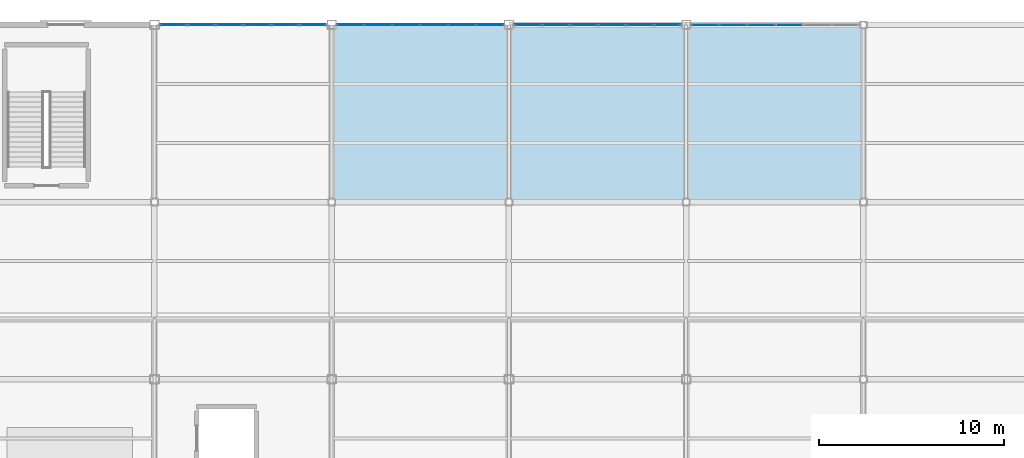
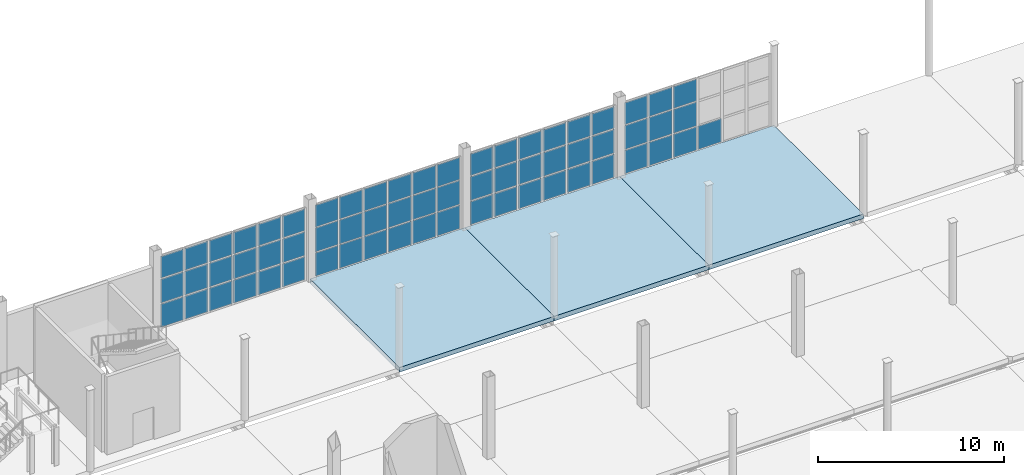
# One storey, part 55 of 85: 64 plates, 3 slabs, 4 elements without a shape of their own.
"""IFC4 building model written with IfcOpenShell, lengths in metres."""

from ifc_helpers import new_model, si_unit, direction, frame, origin, origin_2d, place, context, subcontext, project, spatial, polyline, rectangle, outline, extrude, material, layer, layer_set, type_object, element, aggregate, save


model = new_model("IFC4")

# Units and contexts
model_context = context("Model", 3, precision=1e-05, world=origin(), true_north=direction((0.0, 1.0)))
body_context = subcontext(model_context, "Body", "Model", "MODEL_VIEW")
ifc_project = project(units=[si_unit("LENGTHUNIT", "METRE"), si_unit("AREAUNIT", "SQUARE_METRE"), si_unit("VOLUMEUNIT", "CUBIC_METRE"), si_unit("PLANEANGLEUNIT", "RADIAN"), si_unit("MASSUNIT", "GRAM", prefix="KILO")], contexts=[model_context])

# Site, building, storey
site_placement = place(None, origin())
site = spatial("IfcSite", under=ifc_project, at=site_placement, CompositionType="ELEMENT")
building_placement = place(site_placement, origin())
building = spatial("IfcBuilding", under=site, at=building_placement, Name="Zarnetskaya Central Station", CompositionType="ELEMENT")
storey_placement = place(building_placement, origin())
storey = spatial("IfcBuildingStorey", under=building, at=storey_placement, Name="L00", CompositionType="ELEMENT", Elevation=0.0)

# Curtain wall, plates
ifc_material_1 = material(Name="Low-E insulated glass", Category="glass")
ifc_layer_1 = layer(ifc_material_1, 0.16796875, Name="Low-E insulated glass", Category="glass")
ifc_layer_set_1 = layer_set([ifc_layer_1], Name="Low-E insulated glass")
curtain_wall_type = type_object("IfcCurtainWallType", Name="CW-SYS-13", PredefinedType="USERDEFINED", material=ifc_layer_set_1)
curtain_wall_1_placement = place(storey_placement, origin())
curtain_wall_1 = element("IfcCurtainWall", 1, at=curtain_wall_1_placement, inside=storey, type_object=curtain_wall_type, Name="Curtain wall CW-L00-185", ObjectType="CURTAIN WALL", PredefinedType="USERDEFINED")
ifc_layer_2 = layer(ifc_material_1, 0.028076171875, Name="Low-E insulated glass", Category="glass")
ifc_layer_set_2 = layer_set([ifc_layer_2], Name="Low-E insulated glass")
plate_type_1 = type_object("IfcPlateType", Name="CW-PAN-28", PredefinedType="CURTAIN_PANEL", material=ifc_layer_set_2)
plate_1_placement = place(storey_placement, frame((125.829833984375, 124.800048828125, 0.06982421875), z_axis=(0.0, 0.0, 1.0), x_axis=(1.0, 0.0, 0.0)))
plate_1 = element("IfcPlate", 2, at=plate_1_placement, type_object=plate_type_1, Name="CW-04 panel 1.1", PredefinedType="CURTAIN_PANEL", context=body_context, shape_type="SweptSolid", body=[
    extrude(rectangle(XDim=1.41943359375, YDim=0.028076171875, at=origin_2d()), origin(), (0.0, 0.0, 1.0), 1.527099609375),
])
plate_2_placement = place(storey_placement, frame((125.829833984375, 124.800048828125, 1.6669921875), z_axis=(0.0, 0.0, 1.0), x_axis=(1.0, 0.0, 0.0)))
plate_2 = element("IfcPlate", 3, at=plate_2_placement, type_object=plate_type_1, Name="CW-04 panel 1.2", PredefinedType="CURTAIN_PANEL", context=body_context, shape_type="SweptSolid", body=[
    extrude(rectangle(XDim=1.41943359375, YDim=0.028076171875, at=origin_2d()), origin(), (0.0, 0.0, 1.0), 1.56201171875),
])
plate_3_placement = place(storey_placement, frame((125.829833984375, 124.800048828125, 3.298828125), z_axis=(0.0, 0.0, 1.0), x_axis=(1.0, 0.0, 0.0)))
plate_3 = element("IfcPlate", 4, at=plate_3_placement, type_object=plate_type_1, Name="CW-04 panel 1.3", PredefinedType="CURTAIN_PANEL", context=body_context, shape_type="SweptSolid", body=[
    extrude(rectangle(XDim=1.41943359375, YDim=0.028076171875, at=origin_2d()), origin(), (0.0, 0.0, 1.0), 1.430908203125),
])
plate_4_placement = place(storey_placement, frame((127.336669921875, 124.800048828125, 0.06982421875), z_axis=(0.0, 0.0, 1.0), x_axis=(1.0, 0.0, 0.0)))
plate_4 = element("IfcPlate", 5, at=plate_4_placement, type_object=plate_type_1, Name="CW-04 panel 2.1", PredefinedType="CURTAIN_PANEL", context=body_context, shape_type="SweptSolid", body=[
    extrude(rectangle(XDim=1.454345703125, YDim=0.028076171875, at=origin_2d()), origin(), (0.0, 0.0, 1.0), 1.527099609375),
])
plate_5_placement = place(storey_placement, frame((127.336669921875, 124.800048828125, 1.6669921875), z_axis=(0.0, 0.0, 1.0), x_axis=(1.0, 0.0, 0.0)))
plate_5 = element("IfcPlate", 6, at=plate_5_placement, type_object=plate_type_1, Name="CW-04 panel 2.2", PredefinedType="CURTAIN_PANEL", context=body_context, shape_type="SweptSolid", body=[
    extrude(rectangle(XDim=1.454345703125, YDim=0.028076171875, at=origin_2d()), origin(), (0.0, 0.0, 1.0), 1.56201171875),
])
plate_6_placement = place(storey_placement, frame((127.336669921875, 124.800048828125, 3.298828125), z_axis=(0.0, 0.0, 1.0), x_axis=(1.0, 0.0, 0.0)))
plate_6 = element("IfcPlate", 7, at=plate_6_placement, type_object=plate_type_1, Name="CW-04 panel 2.3", PredefinedType="CURTAIN_PANEL", context=body_context, shape_type="SweptSolid", body=[
    extrude(rectangle(XDim=1.454345703125, YDim=0.028076171875, at=origin_2d()), origin(), (0.0, 0.0, 1.0), 1.430908203125),
])
plate_7_placement = place(storey_placement, frame((128.861083984375, 124.800048828125, 0.06982421875), z_axis=(0.0, 0.0, 1.0), x_axis=(1.0, 0.0, 0.0)))
plate_7 = element("IfcPlate", 8, at=plate_7_placement, type_object=plate_type_1, Name="CW-04 panel 3.1", PredefinedType="CURTAIN_PANEL", context=body_context, shape_type="SweptSolid", body=[
    extrude(rectangle(XDim=1.454345703125, YDim=0.028076171875, at=origin_2d()), origin(), (0.0, 0.0, 1.0), 1.527099609375),
])
plate_8_placement = place(storey_placement, frame((128.861083984375, 124.800048828125, 1.6669921875), z_axis=(0.0, 0.0, 1.0), x_axis=(1.0, 0.0, 0.0)))
plate_8 = element("IfcPlate", 9, at=plate_8_placement, type_object=plate_type_1, Name="CW-04 panel 3.2", PredefinedType="CURTAIN_PANEL", context=body_context, shape_type="SweptSolid", body=[
    extrude(rectangle(XDim=1.454345703125, YDim=0.028076171875, at=origin_2d()), origin(), (0.0, 0.0, 1.0), 1.56201171875),
])
plate_9_placement = place(storey_placement, frame((128.861083984375, 124.800048828125, 3.298828125), z_axis=(0.0, 0.0, 1.0), x_axis=(1.0, 0.0, 0.0)))
plate_9 = element("IfcPlate", 10, at=plate_9_placement, type_object=plate_type_1, Name="CW-04 panel 3.3", PredefinedType="CURTAIN_PANEL", context=body_context, shape_type="SweptSolid", body=[
    extrude(rectangle(XDim=1.454345703125, YDim=0.028076171875, at=origin_2d()), origin(), (0.0, 0.0, 1.0), 1.430908203125),
])
plate_10_placement = place(storey_placement, frame((130.3857421875, 124.800048828125, 0.06982421875), z_axis=(0.0, 0.0, 1.0), x_axis=(1.0, 0.0, 0.0)))
plate_10 = element("IfcPlate", 11, at=plate_10_placement, type_object=plate_type_1, Name="CW-04 panel 4.1", PredefinedType="CURTAIN_PANEL", context=body_context, shape_type="SweptSolid", body=[
    extrude(rectangle(XDim=1.454345703125, YDim=0.028076171875, at=origin_2d()), origin(), (0.0, 0.0, 1.0), 1.527099609375),
])
aggregate(curtain_wall_1, [plate_1, plate_2, plate_3, plate_4, plate_5, plate_6, plate_7, plate_8, plate_9, plate_10])

curtain_wall_2_placement = place(storey_placement, origin())
curtain_wall_2 = element("IfcCurtainWall", 12, at=curtain_wall_2_placement, inside=storey, type_object=curtain_wall_type, Name="Curtain wall CW-L00-182", ObjectType="CURTAIN WALL", PredefinedType="USERDEFINED")
ifc_layer_3 = layer(ifc_material_1, 0.035888671875, Name="Low-E insulated glass", Category="glass")
ifc_layer_set_3 = layer_set([ifc_layer_3], Name="Low-E insulated glass")
plate_type_2 = type_object("IfcPlateType", Name="CW-PAN-36", PredefinedType="CURTAIN_PANEL", material=ifc_layer_set_3)
plate_11_placement = place(storey_placement, frame((97.0283203125, 124.800048828125, 0.080078125), z_axis=(0.0, 0.0, 1.0), x_axis=(1.0, 0.0, 0.0)))
plate_11 = element("IfcPlate", 13, at=plate_11_placement, type_object=plate_type_2, Name="CW-04 panel 1.1", PredefinedType="CURTAIN_PANEL", context=body_context, shape_type="SweptSolid", body=[
    extrude(rectangle(XDim=1.396728515625, YDim=0.035888671875, at=origin_2d()), origin(), (0.0, 0.0, 1.0), 1.511962890625),
])
plate_12_placement = place(storey_placement, frame((97.0283203125, 124.800048828125, 1.671875), z_axis=(0.0, 0.0, 1.0), x_axis=(1.0, 0.0, 0.0)))
plate_12 = element("IfcPlate", 14, at=plate_12_placement, type_object=plate_type_2, Name="CW-04 panel 1.2", PredefinedType="CURTAIN_PANEL", context=body_context, shape_type="SweptSolid", body=[
    extrude(rectangle(XDim=1.396728515625, YDim=0.035888671875, at=origin_2d()), origin(), (0.0, 0.0, 1.0), 1.552001953125),
])
plate_13_placement = place(storey_placement, frame((97.0283203125, 124.800048828125, 3.303955078125), z_axis=(0.0, 0.0, 1.0), x_axis=(1.0, 0.0, 0.0)))
plate_13 = element("IfcPlate", 15, at=plate_13_placement, type_object=plate_type_2, Name="CW-04 panel 1.3", PredefinedType="CURTAIN_PANEL", context=body_context, shape_type="SweptSolid", body=[
    extrude(rectangle(XDim=1.396728515625, YDim=0.035888671875, at=origin_2d()), origin(), (0.0, 0.0, 1.0), 1.416015625),
])
plate_14_placement = place(storey_placement, frame((98.52490234375, 124.800048828125, 0.080078125), z_axis=(0.0, 0.0, 1.0), x_axis=(1.0, 0.0, 0.0)))
plate_14 = element("IfcPlate", 16, at=plate_14_placement, type_object=plate_type_2, Name="CW-04 panel 2.1", PredefinedType="CURTAIN_PANEL", context=body_context, shape_type="SweptSolid", body=[
    extrude(rectangle(XDim=1.436767578125, YDim=0.035888671875, at=origin_2d()), origin(), (0.0, 0.0, 1.0), 1.511962890625),
])
plate_15_placement = place(storey_placement, frame((98.52490234375, 124.800048828125, 1.671875), z_axis=(0.0, 0.0, 1.0), x_axis=(1.0, 0.0, 0.0)))
plate_15 = element("IfcPlate", 17, at=plate_15_placement, type_object=plate_type_2, Name="CW-04 panel 2.2", PredefinedType="CURTAIN_PANEL", context=body_context, shape_type="SweptSolid", body=[
    extrude(rectangle(XDim=1.436767578125, YDim=0.035888671875, at=origin_2d()), origin(), (0.0, 0.0, 1.0), 1.552001953125),
])
plate_16_placement = place(storey_placement, frame((98.52490234375, 124.800048828125, 3.303955078125), z_axis=(0.0, 0.0, 1.0), x_axis=(1.0, 0.0, 0.0)))
plate_16 = element("IfcPlate", 18, at=plate_16_placement, type_object=plate_type_2, Name="CW-04 panel 2.3", PredefinedType="CURTAIN_PANEL", context=body_context, shape_type="SweptSolid", body=[
    extrude(rectangle(XDim=1.436767578125, YDim=0.035888671875, at=origin_2d()), origin(), (0.0, 0.0, 1.0), 1.416015625),
])
plate_17_placement = place(storey_placement, frame((100.041748046875, 124.800048828125, 0.080078125), z_axis=(0.0, 0.0, 1.0), x_axis=(1.0, 0.0, 0.0)))
plate_17 = element("IfcPlate", 19, at=plate_17_placement, type_object=plate_type_2, Name="CW-04 panel 3.1", PredefinedType="CURTAIN_PANEL", context=body_context, shape_type="SweptSolid", body=[
    extrude(rectangle(XDim=1.436767578125, YDim=0.035888671875, at=origin_2d()), origin(), (0.0, 0.0, 1.0), 1.511962890625),
])
plate_18_placement = place(storey_placement, frame((100.041748046875, 124.800048828125, 1.671875), z_axis=(0.0, 0.0, 1.0), x_axis=(1.0, 0.0, 0.0)))
plate_18 = element("IfcPlate", 20, at=plate_18_placement, type_object=plate_type_2, Name="CW-04 panel 3.2", PredefinedType="CURTAIN_PANEL", context=body_context, shape_type="SweptSolid", body=[
    extrude(rectangle(XDim=1.436767578125, YDim=0.035888671875, at=origin_2d()), origin(), (0.0, 0.0, 1.0), 1.552001953125),
])
plate_19_placement = place(storey_placement, frame((100.041748046875, 124.800048828125, 3.303955078125), z_axis=(0.0, 0.0, 1.0), x_axis=(1.0, 0.0, 0.0)))
plate_19 = element("IfcPlate", 21, at=plate_19_placement, type_object=plate_type_2, Name="CW-04 panel 3.3", PredefinedType="CURTAIN_PANEL", context=body_context, shape_type="SweptSolid", body=[
    extrude(rectangle(XDim=1.436767578125, YDim=0.035888671875, at=origin_2d()), origin(), (0.0, 0.0, 1.0), 1.416015625),
])
plate_20_placement = place(storey_placement, frame((101.558349609375, 124.800048828125, 0.080078125), z_axis=(0.0, 0.0, 1.0), x_axis=(1.0, 0.0, 0.0)))
plate_20 = element("IfcPlate", 22, at=plate_20_placement, type_object=plate_type_2, Name="CW-04 panel 4.1", PredefinedType="CURTAIN_PANEL", context=body_context, shape_type="SweptSolid", body=[
    extrude(rectangle(XDim=1.436767578125, YDim=0.035888671875, at=origin_2d()), origin(), (0.0, 0.0, 1.0), 1.511962890625),
])
plate_21_placement = place(storey_placement, frame((101.558349609375, 124.800048828125, 1.671875), z_axis=(0.0, 0.0, 1.0), x_axis=(1.0, 0.0, 0.0)))
plate_21 = element("IfcPlate", 23, at=plate_21_placement, type_object=plate_type_2, Name="CW-04 panel 4.2", PredefinedType="CURTAIN_PANEL", context=body_context, shape_type="SweptSolid", body=[
    extrude(rectangle(XDim=1.436767578125, YDim=0.035888671875, at=origin_2d()), origin(), (0.0, 0.0, 1.0), 1.552001953125),
])
plate_22_placement = place(storey_placement, frame((101.558349609375, 124.800048828125, 3.303955078125), z_axis=(0.0, 0.0, 1.0), x_axis=(1.0, 0.0, 0.0)))
plate_22 = element("IfcPlate", 24, at=plate_22_placement, type_object=plate_type_2, Name="CW-04 panel 4.3", PredefinedType="CURTAIN_PANEL", context=body_context, shape_type="SweptSolid", body=[
    extrude(rectangle(XDim=1.436767578125, YDim=0.035888671875, at=origin_2d()), origin(), (0.0, 0.0, 1.0), 1.416015625),
])
plate_23_placement = place(storey_placement, frame((103.074951171875, 124.800048828125, 0.080078125), z_axis=(0.0, 0.0, 1.0), x_axis=(1.0, 0.0, 0.0)))
plate_23 = element("IfcPlate", 25, at=plate_23_placement, type_object=plate_type_2, Name="CW-04 panel 5.1", PredefinedType="CURTAIN_PANEL", context=body_context, shape_type="SweptSolid", body=[
    extrude(rectangle(XDim=1.436767578125, YDim=0.035888671875, at=origin_2d()), origin(), (0.0, 0.0, 1.0), 1.511962890625),
])
plate_24_placement = place(storey_placement, frame((103.074951171875, 124.800048828125, 1.671875), z_axis=(0.0, 0.0, 1.0), x_axis=(1.0, 0.0, 0.0)))
plate_24 = element("IfcPlate", 26, at=plate_24_placement, type_object=plate_type_2, Name="CW-04 panel 5.2", PredefinedType="CURTAIN_PANEL", context=body_context, shape_type="SweptSolid", body=[
    extrude(rectangle(XDim=1.436767578125, YDim=0.035888671875, at=origin_2d()), origin(), (0.0, 0.0, 1.0), 1.552001953125),
])
plate_25_placement = place(storey_placement, frame((103.074951171875, 124.800048828125, 3.303955078125), z_axis=(0.0, 0.0, 1.0), x_axis=(1.0, 0.0, 0.0)))
plate_25 = element("IfcPlate", 27, at=plate_25_placement, type_object=plate_type_2, Name="CW-04 panel 5.3", PredefinedType="CURTAIN_PANEL", context=body_context, shape_type="SweptSolid", body=[
    extrude(rectangle(XDim=1.436767578125, YDim=0.035888671875, at=origin_2d()), origin(), (0.0, 0.0, 1.0), 1.416015625),
])
plate_26_placement = place(storey_placement, frame((104.57177734375, 124.800048828125, 0.080078125), z_axis=(0.0, 0.0, 1.0), x_axis=(1.0, 0.0, 0.0)))
plate_26 = element("IfcPlate", 28, at=plate_26_placement, type_object=plate_type_2, Name="CW-04 panel 6.1", PredefinedType="CURTAIN_PANEL", context=body_context, shape_type="SweptSolid", body=[
    extrude(rectangle(XDim=1.396728515625, YDim=0.035888671875, at=origin_2d()), origin(), (0.0, 0.0, 1.0), 1.511962890625),
])
plate_27_placement = place(storey_placement, frame((104.57177734375, 124.800048828125, 1.671875), z_axis=(0.0, 0.0, 1.0), x_axis=(1.0, 0.0, 0.0)))
plate_27 = element("IfcPlate", 29, at=plate_27_placement, type_object=plate_type_2, Name="CW-04 panel 6.2", PredefinedType="CURTAIN_PANEL", context=body_context, shape_type="SweptSolid", body=[
    extrude(rectangle(XDim=1.396728515625, YDim=0.035888671875, at=origin_2d()), origin(), (0.0, 0.0, 1.0), 1.552001953125),
])
plate_28_placement = place(storey_placement, frame((104.57177734375, 124.800048828125, 3.303955078125), z_axis=(0.0, 0.0, 1.0), x_axis=(1.0, 0.0, 0.0)))
plate_28 = element("IfcPlate", 30, at=plate_28_placement, type_object=plate_type_2, Name="CW-04 panel 6.3", PredefinedType="CURTAIN_PANEL", context=body_context, shape_type="SweptSolid", body=[
    extrude(rectangle(XDim=1.396728515625, YDim=0.035888671875, at=origin_2d()), origin(), (0.0, 0.0, 1.0), 1.416015625),
])
aggregate(curtain_wall_2, [plate_11, plate_12, plate_13, plate_14, plate_15, plate_16, plate_17, plate_18, plate_19, plate_20, plate_21, plate_22, plate_23, plate_24, plate_25, plate_26, plate_27, plate_28])

curtain_wall_3_placement = place(storey_placement, origin())
curtain_wall_3 = element("IfcCurtainWall", 31, at=curtain_wall_3_placement, inside=storey, type_object=curtain_wall_type, Name="Curtain wall CW-L00-183", ObjectType="CURTAIN WALL", PredefinedType="USERDEFINED")
ifc_layer_4 = layer(ifc_material_1, 0.0400390625, Name="Low-E insulated glass", Category="glass")
ifc_layer_set_4 = layer_set([ifc_layer_4], Name="Low-E insulated glass")
plate_type_3 = type_object("IfcPlateType", Name="CW-PAN-40", PredefinedType="CURTAIN_PANEL", material=ifc_layer_set_4)
plate_29_placement = place(storey_placement, frame((106.625732421875, 124.800048828125, 0.06982421875), z_axis=(0.0, 0.0, 1.0), x_axis=(1.0, 0.0, 0.0)))
plate_29 = element("IfcPlate", 32, at=plate_29_placement, type_object=plate_type_3, Name="CW-04 panel 1.1", PredefinedType="CURTAIN_PANEL", context=body_context, shape_type="SweptSolid", body=[
    extrude(rectangle(XDim=1.41162109375, YDim=0.0400390625, at=origin_2d()), origin(), (0.0, 0.0, 1.0), 1.527099609375),
])
plate_30_placement = place(storey_placement, frame((106.625732421875, 124.800048828125, 1.6669921875), z_axis=(0.0, 0.0, 1.0), x_axis=(1.0, 0.0, 0.0)))
plate_30 = element("IfcPlate", 33, at=plate_30_placement, type_object=plate_type_3, Name="CW-04 panel 1.2", PredefinedType="CURTAIN_PANEL", context=body_context, shape_type="SweptSolid", body=[
    extrude(rectangle(XDim=1.41162109375, YDim=0.0400390625, at=origin_2d()), origin(), (0.0, 0.0, 1.0), 1.56201171875),
])
plate_31_placement = place(storey_placement, frame((106.625732421875, 124.800048828125, 3.298828125), z_axis=(0.0, 0.0, 1.0), x_axis=(1.0, 0.0, 0.0)))
plate_31 = element("IfcPlate", 34, at=plate_31_placement, type_object=plate_type_3, Name="CW-04 panel 1.3", PredefinedType="CURTAIN_PANEL", context=body_context, shape_type="SweptSolid", body=[
    extrude(rectangle(XDim=1.41162109375, YDim=0.0400390625, at=origin_2d()), origin(), (0.0, 0.0, 1.0), 1.430908203125),
])
plate_32_placement = place(storey_placement, frame((108.125, 124.800048828125, 0.06982421875), z_axis=(0.0, 0.0, 1.0), x_axis=(1.0, 0.0, 0.0)))
plate_32 = element("IfcPlate", 35, at=plate_32_placement, type_object=plate_type_3, Name="CW-04 panel 2.1", PredefinedType="CURTAIN_PANEL", context=body_context, shape_type="SweptSolid", body=[
    extrude(rectangle(XDim=1.44677734375, YDim=0.0400390625, at=origin_2d()), origin(), (0.0, 0.0, 1.0), 1.527099609375),
])
plate_33_placement = place(storey_placement, frame((108.125, 124.800048828125, 1.6669921875), z_axis=(0.0, 0.0, 1.0), x_axis=(1.0, 0.0, 0.0)))
plate_33 = element("IfcPlate", 36, at=plate_33_placement, type_object=plate_type_3, Name="CW-04 panel 2.2", PredefinedType="CURTAIN_PANEL", context=body_context, shape_type="SweptSolid", body=[
    extrude(rectangle(XDim=1.44677734375, YDim=0.0400390625, at=origin_2d()), origin(), (0.0, 0.0, 1.0), 1.56201171875),
])
plate_34_placement = place(storey_placement, frame((108.125, 124.800048828125, 3.298828125), z_axis=(0.0, 0.0, 1.0), x_axis=(1.0, 0.0, 0.0)))
plate_34 = element("IfcPlate", 37, at=plate_34_placement, type_object=plate_type_3, Name="CW-04 panel 2.3", PredefinedType="CURTAIN_PANEL", context=body_context, shape_type="SweptSolid", body=[
    extrude(rectangle(XDim=1.44677734375, YDim=0.0400390625, at=origin_2d()), origin(), (0.0, 0.0, 1.0), 1.430908203125),
])
plate_35_placement = place(storey_placement, frame((109.6416015625, 124.800048828125, 0.06982421875), z_axis=(0.0, 0.0, 1.0), x_axis=(1.0, 0.0, 0.0)))
plate_35 = element("IfcPlate", 38, at=plate_35_placement, type_object=plate_type_3, Name="CW-04 panel 3.1", PredefinedType="CURTAIN_PANEL", context=body_context, shape_type="SweptSolid", body=[
    extrude(rectangle(XDim=1.44677734375, YDim=0.0400390625, at=origin_2d()), origin(), (0.0, 0.0, 1.0), 1.527099609375),
])
plate_36_placement = place(storey_placement, frame((109.6416015625, 124.800048828125, 1.6669921875), z_axis=(0.0, 0.0, 1.0), x_axis=(1.0, 0.0, 0.0)))
plate_36 = element("IfcPlate", 39, at=plate_36_placement, type_object=plate_type_3, Name="CW-04 panel 3.2", PredefinedType="CURTAIN_PANEL", context=body_context, shape_type="SweptSolid", body=[
    extrude(rectangle(XDim=1.44677734375, YDim=0.0400390625, at=origin_2d()), origin(), (0.0, 0.0, 1.0), 1.56201171875),
])
plate_37_placement = place(storey_placement, frame((109.6416015625, 124.800048828125, 3.298828125), z_axis=(0.0, 0.0, 1.0), x_axis=(1.0, 0.0, 0.0)))
plate_37 = element("IfcPlate", 40, at=plate_37_placement, type_object=plate_type_3, Name="CW-04 panel 3.3", PredefinedType="CURTAIN_PANEL", context=body_context, shape_type="SweptSolid", body=[
    extrude(rectangle(XDim=1.44677734375, YDim=0.0400390625, at=origin_2d()), origin(), (0.0, 0.0, 1.0), 1.430908203125),
])
plate_38_placement = place(storey_placement, frame((111.158447265625, 124.800048828125, 0.06982421875), z_axis=(0.0, 0.0, 1.0), x_axis=(1.0, 0.0, 0.0)))
plate_38 = element("IfcPlate", 41, at=plate_38_placement, type_object=plate_type_3, Name="CW-04 panel 4.1", PredefinedType="CURTAIN_PANEL", context=body_context, shape_type="SweptSolid", body=[
    extrude(rectangle(XDim=1.44677734375, YDim=0.0400390625, at=origin_2d()), origin(), (0.0, 0.0, 1.0), 1.527099609375),
])
plate_39_placement = place(storey_placement, frame((111.158447265625, 124.800048828125, 1.6669921875), z_axis=(0.0, 0.0, 1.0), x_axis=(1.0, 0.0, 0.0)))
plate_39 = element("IfcPlate", 42, at=plate_39_placement, type_object=plate_type_3, Name="CW-04 panel 4.2", PredefinedType="CURTAIN_PANEL", context=body_context, shape_type="SweptSolid", body=[
    extrude(rectangle(XDim=1.44677734375, YDim=0.0400390625, at=origin_2d()), origin(), (0.0, 0.0, 1.0), 1.56201171875),
])
plate_40_placement = place(storey_placement, frame((111.158447265625, 124.800048828125, 3.298828125), z_axis=(0.0, 0.0, 1.0), x_axis=(1.0, 0.0, 0.0)))
plate_40 = element("IfcPlate", 43, at=plate_40_placement, type_object=plate_type_3, Name="CW-04 panel 4.3", PredefinedType="CURTAIN_PANEL", context=body_context, shape_type="SweptSolid", body=[
    extrude(rectangle(XDim=1.44677734375, YDim=0.0400390625, at=origin_2d()), origin(), (0.0, 0.0, 1.0), 1.430908203125),
])
plate_41_placement = place(storey_placement, frame((112.675048828125, 124.800048828125, 0.06982421875), z_axis=(0.0, 0.0, 1.0), x_axis=(1.0, 0.0, 0.0)))
plate_41 = element("IfcPlate", 44, at=plate_41_placement, type_object=plate_type_3, Name="CW-04 panel 5.1", PredefinedType="CURTAIN_PANEL", context=body_context, shape_type="SweptSolid", body=[
    extrude(rectangle(XDim=1.44677734375, YDim=0.0400390625, at=origin_2d()), origin(), (0.0, 0.0, 1.0), 1.527099609375),
])
plate_42_placement = place(storey_placement, frame((112.675048828125, 124.800048828125, 1.6669921875), z_axis=(0.0, 0.0, 1.0), x_axis=(1.0, 0.0, 0.0)))
plate_42 = element("IfcPlate", 45, at=plate_42_placement, type_object=plate_type_3, Name="CW-04 panel 5.2", PredefinedType="CURTAIN_PANEL", context=body_context, shape_type="SweptSolid", body=[
    extrude(rectangle(XDim=1.44677734375, YDim=0.0400390625, at=origin_2d()), origin(), (0.0, 0.0, 1.0), 1.56201171875),
])
plate_43_placement = place(storey_placement, frame((112.675048828125, 124.800048828125, 3.298828125), z_axis=(0.0, 0.0, 1.0), x_axis=(1.0, 0.0, 0.0)))
plate_43 = element("IfcPlate", 46, at=plate_43_placement, type_object=plate_type_3, Name="CW-04 panel 5.3", PredefinedType="CURTAIN_PANEL", context=body_context, shape_type="SweptSolid", body=[
    extrude(rectangle(XDim=1.44677734375, YDim=0.0400390625, at=origin_2d()), origin(), (0.0, 0.0, 1.0), 1.430908203125),
])
plate_44_placement = place(storey_placement, frame((114.174072265625, 124.800048828125, 0.06982421875), z_axis=(0.0, 0.0, 1.0), x_axis=(1.0, 0.0, 0.0)))
plate_44 = element("IfcPlate", 47, at=plate_44_placement, type_object=plate_type_3, Name="CW-04 panel 6.1", PredefinedType="CURTAIN_PANEL", context=body_context, shape_type="SweptSolid", body=[
    extrude(rectangle(XDim=1.41162109375, YDim=0.0400390625, at=origin_2d()), origin(), (0.0, 0.0, 1.0), 1.527099609375),
])
plate_45_placement = place(storey_placement, frame((114.174072265625, 124.800048828125, 1.6669921875), z_axis=(0.0, 0.0, 1.0), x_axis=(1.0, 0.0, 0.0)))
plate_45 = element("IfcPlate", 48, at=plate_45_placement, type_object=plate_type_3, Name="CW-04 panel 6.2", PredefinedType="CURTAIN_PANEL", context=body_context, shape_type="SweptSolid", body=[
    extrude(rectangle(XDim=1.41162109375, YDim=0.0400390625, at=origin_2d()), origin(), (0.0, 0.0, 1.0), 1.56201171875),
])
plate_46_placement = place(storey_placement, frame((114.174072265625, 124.800048828125, 3.298828125), z_axis=(0.0, 0.0, 1.0), x_axis=(1.0, 0.0, 0.0)))
plate_46 = element("IfcPlate", 49, at=plate_46_placement, type_object=plate_type_3, Name="CW-04 panel 6.3", PredefinedType="CURTAIN_PANEL", context=body_context, shape_type="SweptSolid", body=[
    extrude(rectangle(XDim=1.41162109375, YDim=0.0400390625, at=origin_2d()), origin(), (0.0, 0.0, 1.0), 1.430908203125),
])
aggregate(curtain_wall_3, [plate_29, plate_30, plate_31, plate_32, plate_33, plate_34, plate_35, plate_36, plate_37, plate_38, plate_39, plate_40, plate_41, plate_42, plate_43, plate_44, plate_45, plate_46])

curtain_wall_4_placement = place(storey_placement, origin())
curtain_wall_4 = element("IfcCurtainWall", 50, at=curtain_wall_4_placement, inside=storey, type_object=curtain_wall_type, Name="Curtain wall CW-L00-184", ObjectType="CURTAIN WALL", PredefinedType="USERDEFINED")
ifc_layer_5 = layer(ifc_material_1, 0.0439453125, Name="Low-E insulated glass", Category="glass")
ifc_layer_set_5 = layer_set([ifc_layer_5], Name="Low-E insulated glass")
plate_type_4 = type_object("IfcPlateType", Name="CW-PAN-44", PredefinedType="CURTAIN_PANEL", material=ifc_layer_set_5)
plate_47_placement = place(storey_placement, frame((116.228271484375, 124.800048828125, 0.080078125), z_axis=(0.0, 0.0, 1.0), x_axis=(1.0, 0.0, 0.0)))
plate_47 = element("IfcPlate", 51, at=plate_47_placement, type_object=plate_type_4, Name="CW-04 panel 1.1", PredefinedType="CURTAIN_PANEL", context=body_context, shape_type="SweptSolid", body=[
    extrude(rectangle(XDim=1.396728515625, YDim=0.0439453125, at=origin_2d()), origin(), (0.0, 0.0, 1.0), 1.511962890625),
])
plate_48_placement = place(storey_placement, frame((116.228271484375, 124.800048828125, 1.671875), z_axis=(0.0, 0.0, 1.0), x_axis=(1.0, 0.0, 0.0)))
plate_48 = element("IfcPlate", 52, at=plate_48_placement, type_object=plate_type_4, Name="CW-04 panel 1.2", PredefinedType="CURTAIN_PANEL", context=body_context, shape_type="SweptSolid", body=[
    extrude(rectangle(XDim=1.396728515625, YDim=0.0439453125, at=origin_2d()), origin(), (0.0, 0.0, 1.0), 1.552001953125),
])
plate_49_placement = place(storey_placement, frame((116.228271484375, 124.800048828125, 3.303955078125), z_axis=(0.0, 0.0, 1.0), x_axis=(1.0, 0.0, 0.0)))
plate_49 = element("IfcPlate", 53, at=plate_49_placement, type_object=plate_type_4, Name="CW-04 panel 1.3", PredefinedType="CURTAIN_PANEL", context=body_context, shape_type="SweptSolid", body=[
    extrude(rectangle(XDim=1.396728515625, YDim=0.0439453125, at=origin_2d()), origin(), (0.0, 0.0, 1.0), 1.416015625),
])
plate_50_placement = place(storey_placement, frame((117.72509765625, 124.800048828125, 0.080078125), z_axis=(0.0, 0.0, 1.0), x_axis=(1.0, 0.0, 0.0)))
plate_50 = element("IfcPlate", 54, at=plate_50_placement, type_object=plate_type_4, Name="CW-04 panel 2.1", PredefinedType="CURTAIN_PANEL", context=body_context, shape_type="SweptSolid", body=[
    extrude(rectangle(XDim=1.436767578125, YDim=0.0439453125, at=origin_2d()), origin(), (0.0, 0.0, 1.0), 1.511962890625),
])
plate_51_placement = place(storey_placement, frame((117.72509765625, 124.800048828125, 1.671875), z_axis=(0.0, 0.0, 1.0), x_axis=(1.0, 0.0, 0.0)))
plate_51 = element("IfcPlate", 55, at=plate_51_placement, type_object=plate_type_4, Name="CW-04 panel 2.2", PredefinedType="CURTAIN_PANEL", context=body_context, shape_type="SweptSolid", body=[
    extrude(rectangle(XDim=1.436767578125, YDim=0.0439453125, at=origin_2d()), origin(), (0.0, 0.0, 1.0), 1.552001953125),
])
plate_52_placement = place(storey_placement, frame((117.72509765625, 124.800048828125, 3.303955078125), z_axis=(0.0, 0.0, 1.0), x_axis=(1.0, 0.0, 0.0)))
plate_52 = element("IfcPlate", 56, at=plate_52_placement, type_object=plate_type_4, Name="CW-04 panel 2.3", PredefinedType="CURTAIN_PANEL", context=body_context, shape_type="SweptSolid", body=[
    extrude(rectangle(XDim=1.436767578125, YDim=0.0439453125, at=origin_2d()), origin(), (0.0, 0.0, 1.0), 1.416015625),
])
plate_53_placement = place(storey_placement, frame((119.24169921875, 124.800048828125, 0.080078125), z_axis=(0.0, 0.0, 1.0), x_axis=(1.0, 0.0, 0.0)))
plate_53 = element("IfcPlate", 57, at=plate_53_placement, type_object=plate_type_4, Name="CW-04 panel 3.1", PredefinedType="CURTAIN_PANEL", context=body_context, shape_type="SweptSolid", body=[
    extrude(rectangle(XDim=1.436767578125, YDim=0.0439453125, at=origin_2d()), origin(), (0.0, 0.0, 1.0), 1.511962890625),
])
plate_54_placement = place(storey_placement, frame((119.24169921875, 124.800048828125, 1.671875), z_axis=(0.0, 0.0, 1.0), x_axis=(1.0, 0.0, 0.0)))
plate_54 = element("IfcPlate", 58, at=plate_54_placement, type_object=plate_type_4, Name="CW-04 panel 3.2", PredefinedType="CURTAIN_PANEL", context=body_context, shape_type="SweptSolid", body=[
    extrude(rectangle(XDim=1.436767578125, YDim=0.0439453125, at=origin_2d()), origin(), (0.0, 0.0, 1.0), 1.552001953125),
])
plate_55_placement = place(storey_placement, frame((119.24169921875, 124.800048828125, 3.303955078125), z_axis=(0.0, 0.0, 1.0), x_axis=(1.0, 0.0, 0.0)))
plate_55 = element("IfcPlate", 59, at=plate_55_placement, type_object=plate_type_4, Name="CW-04 panel 3.3", PredefinedType="CURTAIN_PANEL", context=body_context, shape_type="SweptSolid", body=[
    extrude(rectangle(XDim=1.436767578125, YDim=0.0439453125, at=origin_2d()), origin(), (0.0, 0.0, 1.0), 1.416015625),
])
plate_56_placement = place(storey_placement, frame((120.75830078125, 124.800048828125, 0.080078125), z_axis=(0.0, 0.0, 1.0), x_axis=(1.0, 0.0, 0.0)))
plate_56 = element("IfcPlate", 60, at=plate_56_placement, type_object=plate_type_4, Name="CW-04 panel 4.1", PredefinedType="CURTAIN_PANEL", context=body_context, shape_type="SweptSolid", body=[
    extrude(rectangle(XDim=1.436767578125, YDim=0.0439453125, at=origin_2d()), origin(), (0.0, 0.0, 1.0), 1.511962890625),
])
plate_57_placement = place(storey_placement, frame((120.75830078125, 124.800048828125, 1.671875), z_axis=(0.0, 0.0, 1.0), x_axis=(1.0, 0.0, 0.0)))
plate_57 = element("IfcPlate", 61, at=plate_57_placement, type_object=plate_type_4, Name="CW-04 panel 4.2", PredefinedType="CURTAIN_PANEL", context=body_context, shape_type="SweptSolid", body=[
    extrude(rectangle(XDim=1.436767578125, YDim=0.0439453125, at=origin_2d()), origin(), (0.0, 0.0, 1.0), 1.552001953125),
])
plate_58_placement = place(storey_placement, frame((120.75830078125, 124.800048828125, 3.303955078125), z_axis=(0.0, 0.0, 1.0), x_axis=(1.0, 0.0, 0.0)))
plate_58 = element("IfcPlate", 62, at=plate_58_placement, type_object=plate_type_4, Name="CW-04 panel 4.3", PredefinedType="CURTAIN_PANEL", context=body_context, shape_type="SweptSolid", body=[
    extrude(rectangle(XDim=1.436767578125, YDim=0.0439453125, at=origin_2d()), origin(), (0.0, 0.0, 1.0), 1.416015625),
])
plate_59_placement = place(storey_placement, frame((122.27490234375, 124.800048828125, 0.080078125), z_axis=(0.0, 0.0, 1.0), x_axis=(1.0, 0.0, 0.0)))
plate_59 = element("IfcPlate", 63, at=plate_59_placement, type_object=plate_type_4, Name="CW-04 panel 5.1", PredefinedType="CURTAIN_PANEL", context=body_context, shape_type="SweptSolid", body=[
    extrude(rectangle(XDim=1.436767578125, YDim=0.0439453125, at=origin_2d()), origin(), (0.0, 0.0, 1.0), 1.511962890625),
])
plate_60_placement = place(storey_placement, frame((122.27490234375, 124.800048828125, 1.671875), z_axis=(0.0, 0.0, 1.0), x_axis=(1.0, 0.0, 0.0)))
plate_60 = element("IfcPlate", 64, at=plate_60_placement, type_object=plate_type_4, Name="CW-04 panel 5.2", PredefinedType="CURTAIN_PANEL", context=body_context, shape_type="SweptSolid", body=[
    extrude(rectangle(XDim=1.436767578125, YDim=0.0439453125, at=origin_2d()), origin(), (0.0, 0.0, 1.0), 1.552001953125),
])
plate_61_placement = place(storey_placement, frame((122.27490234375, 124.800048828125, 3.303955078125), z_axis=(0.0, 0.0, 1.0), x_axis=(1.0, 0.0, 0.0)))
plate_61 = element("IfcPlate", 65, at=plate_61_placement, type_object=plate_type_4, Name="CW-04 panel 5.3", PredefinedType="CURTAIN_PANEL", context=body_context, shape_type="SweptSolid", body=[
    extrude(rectangle(XDim=1.436767578125, YDim=0.0439453125, at=origin_2d()), origin(), (0.0, 0.0, 1.0), 1.416015625),
])
plate_62_placement = place(storey_placement, frame((123.771728515625, 124.800048828125, 0.080078125), z_axis=(0.0, 0.0, 1.0), x_axis=(1.0, 0.0, 0.0)))
plate_62 = element("IfcPlate", 66, at=plate_62_placement, type_object=plate_type_4, Name="CW-04 panel 6.1", PredefinedType="CURTAIN_PANEL", context=body_context, shape_type="SweptSolid", body=[
    extrude(rectangle(XDim=1.396728515625, YDim=0.0439453125, at=origin_2d()), origin(), (0.0, 0.0, 1.0), 1.511962890625),
])
plate_63_placement = place(storey_placement, frame((123.771728515625, 124.800048828125, 1.671875), z_axis=(0.0, 0.0, 1.0), x_axis=(1.0, 0.0, 0.0)))
plate_63 = element("IfcPlate", 67, at=plate_63_placement, type_object=plate_type_4, Name="CW-04 panel 6.2", PredefinedType="CURTAIN_PANEL", context=body_context, shape_type="SweptSolid", body=[
    extrude(rectangle(XDim=1.396728515625, YDim=0.0439453125, at=origin_2d()), origin(), (0.0, 0.0, 1.0), 1.552001953125),
])
plate_64_placement = place(storey_placement, frame((123.771728515625, 124.800048828125, 3.303955078125), z_axis=(0.0, 0.0, 1.0), x_axis=(1.0, 0.0, 0.0)))
plate_64 = element("IfcPlate", 68, at=plate_64_placement, type_object=plate_type_4, Name="CW-04 panel 6.3", PredefinedType="CURTAIN_PANEL", context=body_context, shape_type="SweptSolid", body=[
    extrude(rectangle(XDim=1.396728515625, YDim=0.0439453125, at=origin_2d()), origin(), (0.0, 0.0, 1.0), 1.416015625),
])
aggregate(curtain_wall_4, [plate_47, plate_48, plate_49, plate_50, plate_51, plate_52, plate_53, plate_54, plate_55, plate_56, plate_57, plate_58, plate_59, plate_60, plate_61, plate_62, plate_63, plate_64])

# Slabs
ifc_material_2 = material(Name="Precast concrete C40/50", Category="concrete")
ifc_layer_6 = layer(ifc_material_2, 0.300048828125, Name="Precast concrete C40/50", Category="concrete")
ifc_layer_set_6 = layer_set([ifc_layer_6], Name="Precast concrete C40/50")
slab_type = type_object("IfcSlabType", Name="SLAB-PLAT-300", PredefinedType="FLOOR", material=ifc_layer_set_6)
slab_1_placement = place(storey_placement, frame((0.0, 0.0, -0.300048828125)))
element("IfcSlab", 69, at=slab_1_placement, inside=storey, type_object=slab_type, Name="Platform 4 Passenger Boarding Hall deck M-N", PredefinedType="FLOOR", context=body_context, shape_type="SweptSolid", body=[
    extrude(outline(polyline([(105.60009765625, 115.199951171875), (115.199951171875, 115.199951171875), (115.199951171875, 124.800048828125), (105.60009765625, 124.800048828125), (105.60009765625, 115.199951171875)])), origin(), (0.0, 0.0, 1.0), 0.300048828125),
])
slab_2_placement = place(storey_placement, frame((0.0, 0.0, -0.300048828125)))
element("IfcSlab", 70, at=slab_2_placement, inside=storey, type_object=slab_type, Name="Platform 4 Passenger Boarding Hall deck N-P", PredefinedType="FLOOR", context=body_context, shape_type="SweptSolid", body=[
    extrude(outline(polyline([(115.199951171875, 115.199951171875), (124.800048828125, 115.199951171875), (124.800048828125, 124.800048828125), (115.199951171875, 124.800048828125), (115.199951171875, 115.199951171875)])), origin(), (0.0, 0.0, 1.0), 0.300048828125),
])
slab_3_placement = place(storey_placement, frame((0.0, 0.0, -0.300048828125)))
element("IfcSlab", 71, at=slab_3_placement, inside=storey, type_object=slab_type, Name="Platform 4 Passenger Boarding Hall deck P-Q", PredefinedType="FLOOR", context=body_context, shape_type="SweptSolid", body=[
    extrude(outline(polyline([(124.800048828125, 115.199951171875), (134.39990234375, 115.199951171875), (134.39990234375, 124.800048828125), (124.800048828125, 124.800048828125), (124.800048828125, 115.199951171875)])), origin(), (0.0, 0.0, 1.0), 0.300048828125),
])

save(model, "model.ifc")
